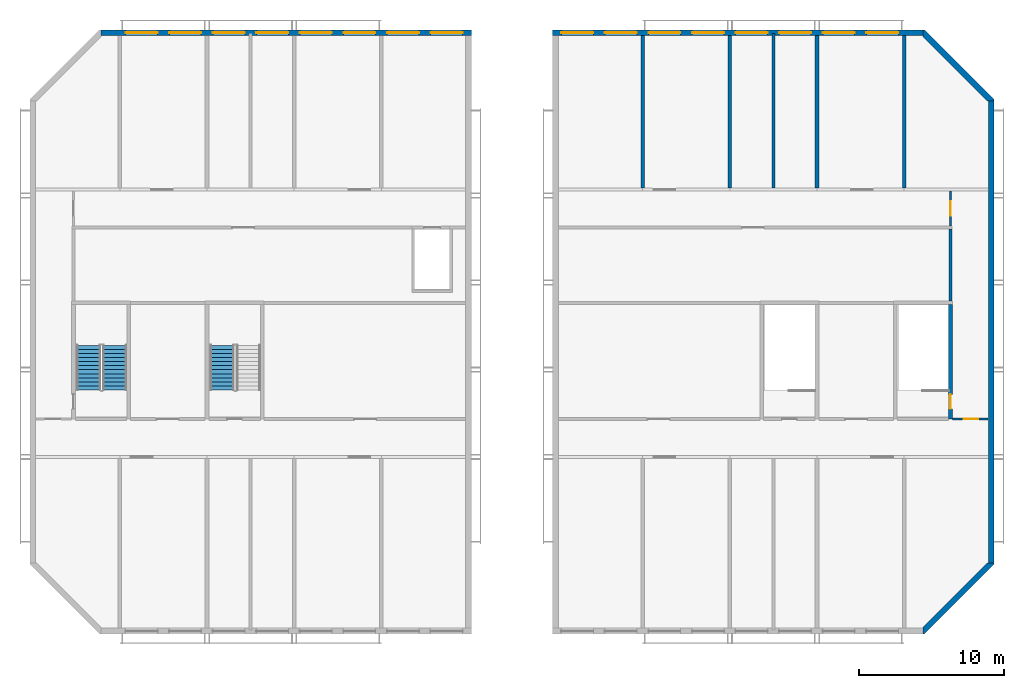
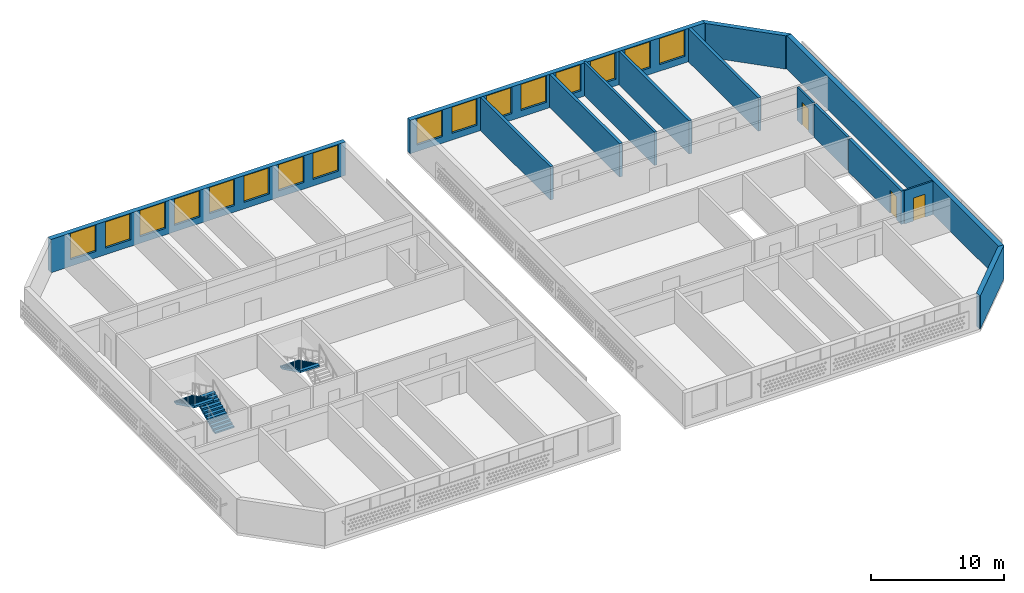
# One storey, part 4 of 16: 16 windows, 14 walls, 3 doors, 3 stair flights, 19 openings, 2 elements without a shape of their own.
"""IFC4 building model written with IfcOpenShell, lengths in metres."""

from ifc_helpers import new_model, si_unit, direction, frame, frame_2d, origin, place, context, subcontext, project, spatial, polyline, rectangle, outline, extrude, material, layer, layer_set, type_object, element, fill, aggregate, save


model = new_model("IFC4")

# Units and contexts
model_context = context("Model", 3, precision=1e-05, world=origin(), true_north=direction((0.0, 1.0)))
body_context = subcontext(model_context, "Body", "Model", "MODEL_VIEW")
ifc_project = project(units=[si_unit("LENGTHUNIT", "METRE"), si_unit("AREAUNIT", "SQUARE_METRE"), si_unit("VOLUMEUNIT", "CUBIC_METRE"), si_unit("PLANEANGLEUNIT", "RADIAN"), si_unit("MASSUNIT", "GRAM", prefix="KILO")], contexts=[model_context])

# Site, building, storey
site_placement = place(None, origin())
site = spatial("IfcSite", under=ifc_project, at=site_placement, CompositionType="ELEMENT")
building_placement = place(site_placement, origin())
building = spatial("IfcBuilding", under=site, at=building_placement, Name="Poui Terraces", CompositionType="ELEMENT")
storey_placement = place(building_placement, frame((0.0, 0.0, 282.300048828125)))
storey = spatial("IfcBuildingStorey", under=building, at=storey_placement, Name="L78 CROWN", CompositionType="ELEMENT", Elevation=282.300048828125)

# Wall, opening, door
ifc_material_1 = material(Name="Fire-rated plasterboard wall")
ifc_layer_1 = layer(ifc_material_1, 0.14990234375)
ifc_layer_set_1 = layer_set([ifc_layer_1], Name="Fire-rated plasterboard wall")
wall_type_1 = type_object("IfcWallType", Name="CORRIDOR WALL 150", PredefinedType="PARTITIONING", material=ifc_layer_set_1)
wall_1_placement = place(storey_placement, frame((81.3349609375, 14.60009765625, 0.0), z_axis=(0.0, 0.0, 1.0), x_axis=(1.0, 0.0, 0.0)))
wall_1 = element("IfcWall", 1, at=wall_1_placement, inside=storey, type_object=wall_type_1, Name="CORRIDOR WALL 150", PredefinedType="PARTITIONING", context=body_context, shape_type="SweptSolid", body=[
    extrude(rectangle(XDim=2.455078125, YDim=0.14990234375, at=frame_2d((1.2275390625, 0.0))), origin(), (0.0, 0.0, 1.0), 3.050048828125),
])
opening_1_placement = place(wall_1_placement, frame((0.764892578125, 0.0, 0.0)))
opening_1 = element("IfcOpeningElement", 2, at=opening_1_placement, cuts=wall_1, Name="Opening FDL", PredefinedType="OPENING", context=body_context, shape_type="SweptSolid", body=[
    extrude(rectangle(XDim=1.0, YDim=2.10009765625, at=frame_2d((0.5, 1.050048828125))), frame((0.0, 0.0849609375, 0.0), z_axis=(0.0, -1.0, 0.0), x_axis=(1.0, 0.0, 0.0)), (0.0, 0.0, 1.0), 0.169921875),
])
ifc_material_2 = material(Name="Steel fire door", Category="steel")
door_type_1 = type_object("IfcDoorType", Name="LOBBY FIRE DOOR 1000 X 2100", OperationType="NOTDEFINED", PredefinedType="DOOR", material=ifc_material_2)
door_1_placement = place(opening_1_placement, origin())
door_1 = element("IfcDoor", 3, at=door_1_placement, inside=storey, type_object=door_type_1, Name="LOBBY FIRE DOOR 010", OperationType="SINGLE_SWING_LEFT", OverallHeight=2.10009765625, OverallWidth=1.0, PredefinedType="DOOR", context=body_context, shape_type="SweptSolid", body=[
    extrude(rectangle(XDim=1.0, YDim=2.10009765625, at=frame_2d((0.5, 1.050048828125))), frame((0.0, 0.02490234375, 0.0), z_axis=(0.0, -1.0, 0.0), x_axis=(1.0, 0.0, 0.0)), (0.0, 0.0, 1.0), 0.050048828125),
])
fill(opening_1, door_1)

wall_2_placement = place(storey_placement, frame((81.199951171875, 27.89990234375, 0.0), z_axis=(0.0, 0.0, 1.0), x_axis=(0.0, 1.0, 0.0)))
wall_2 = element("IfcWall", 4, at=wall_2_placement, inside=storey, type_object=wall_type_1, Name="CORRIDOR WALL 150", PredefinedType="PARTITIONING", context=body_context, shape_type="SweptSolid", body=[
    extrude(rectangle(XDim=2.39013671875, YDim=0.14990234375, at=frame_2d((1.195068359375, 0.0))), origin(), (0.0, 0.0, 1.0), 3.050048828125),
])
opening_2_placement = place(wall_2_placement, frame((0.699951171875, 0.0, 0.0)))
opening_2 = element("IfcOpeningElement", 5, at=opening_2_placement, cuts=wall_2, Name="Opening FDL", PredefinedType="OPENING", context=body_context, shape_type="SweptSolid", body=[
    extrude(rectangle(XDim=1.0, YDim=2.10009765625, at=frame_2d((0.5, 1.050048828125))), frame((0.0, 0.0849609375, 0.0), z_axis=(0.0, -1.0, 0.0), x_axis=(1.0, 0.0, 0.0)), (0.0, 0.0, 1.0), 0.169921875),
])
door_2_placement = place(opening_2_placement, frame((1.0, 0.0, 0.0), z_axis=(0.0, 0.0, 1.0), x_axis=(-1.0, 0.0, 0.0)))
door_2 = element("IfcDoor", 6, at=door_2_placement, inside=storey, type_object=door_type_1, Name="LOBBY FIRE DOOR 009", OperationType="SINGLE_SWING_RIGHT", OverallHeight=2.10009765625, OverallWidth=1.0, PredefinedType="DOOR", context=body_context, shape_type="SweptSolid", body=[
    extrude(rectangle(XDim=1.0, YDim=2.10009765625, at=frame_2d((0.5, 1.050048828125))), frame((0.0, 0.02490234375, 0.0), z_axis=(0.0, -1.0, 0.0), x_axis=(1.0, 0.0, 0.0)), (0.0, 0.0, 1.0), 0.050048828125),
])
fill(opening_2, door_2)

# Walls
ifc_material_3 = material(Name="Concrete 50 MPa", Category="concrete")
ifc_layer_2 = layer(ifc_material_3, 0.25)
ifc_layer_set_2 = layer_set([ifc_layer_2], Name="Concrete 50 MPa")
wall_type_2 = type_object("IfcWallType", Name="CROSS WALL 250 50MPa", PredefinedType="SHEAR", material=ifc_layer_set_2)
for number, where, z_axis, x_axis, name in (
    (7, (60.0, 30.5, 0.0), (0.0, 0.0, 1.0), (0.0, 1.0, 0.0), "CROSS WALL LINE 11 NORTH"),
    (8, (66.0, 30.5, 0.0), (0.0, 0.0, 1.0), (0.0, 1.0, 0.0), "CROSS WALL LINE 12 NORTH"),
    (9, (72.0, 30.5, 0.0), (0.0, 0.0, 1.0), (0.0, 1.0, 0.0), "CROSS WALL LINE 13 NORTH"),
    (10, (78.0, 30.5, 0.0), (0.0, 0.0, 1.0), (0.0, 1.0, 0.0), "CROSS WALL LINE 14 NORTH"),
):
    element("IfcWall", number, at=place(storey_placement, frame(where, z_axis=z_axis, x_axis=x_axis)), inside=storey, type_object=wall_type_2, Name=name, PredefinedType="SHEAR", context=body_context, shape_type="SweptSolid", body=[
        extrude(rectangle(XDim=10.5, YDim=0.25, at=frame_2d((5.25, 0.0))), origin(), (0.0, 0.0, 1.0), 3.050048828125),
    ])
ifc_layer_3 = layer(ifc_material_3, 0.39990234375)
ifc_layer_set_3 = layer_set([ifc_layer_3], Name="Concrete 50 MPa")
wall_type_3 = type_object("IfcWallType", Name="END WALL 400 50MPa", PredefinedType="SHEAR", material=ifc_layer_set_3)
wall_3_placement = place(storey_placement, frame((84.0, 4.682861328125, 0.0), z_axis=(0.0, 0.0, 1.0), x_axis=(0.0, 1.0, 0.0)))
element("IfcWall", 11, at=wall_3_placement, inside=storey, type_object=wall_type_3, Name="END WALL LINE 15", PredefinedType="SHEAR", context=body_context, shape_type="SweptSolid", body=[
    extrude(rectangle(XDim=31.834228515625, YDim=0.39990234375, at=frame_2d((15.9169921875, 0.0))), origin(), (0.0, 0.0, 1.0), 3.050048828125),
])

# Wall, openings, windows
ifc_material_4 = material(Name="Precast concrete 40 MPa", Category="concrete")
ifc_layer_4 = layer(ifc_material_4, 0.39990234375)
ifc_layer_set_4 = layer_set([ifc_layer_4], Name="Precast concrete 40 MPa")
wall_type_4 = type_object("IfcWallType", Name="EXTERNAL WALL 400", PredefinedType="STANDARD", material=ifc_layer_set_4)
wall_4_placement = place(storey_placement, frame((48.199951171875, 41.199951171875, 0.0), z_axis=(0.0, 0.0, 1.0), x_axis=(-1.0, 0.0, 0.0)))
wall_4 = element("IfcWall", 12, at=wall_4_placement, inside=storey, type_object=wall_type_4, Name="EXTERNAL WALL N", PredefinedType="STANDARD", context=body_context, shape_type="SweptSolid", body=[
    extrude(rectangle(XDim=25.51708984375, YDim=0.39990234375, at=frame_2d((12.758544921875, 0.0))), origin(), (0.0, 0.0, 1.0), 3.050048828125),
])
opening_3_placement = place(wall_4_placement, frame((21.60009765625, 0.0, 0.60009765625)))
opening_3 = element("IfcOpeningElement", 13, at=opening_3_placement, cuts=wall_4, Name="Opening W5", PredefinedType="OPENING", context=body_context, shape_type="SweptSolid", body=[
    extrude(rectangle(XDim=2.199951171875, YDim=2.39990234375, at=frame_2d((1.10009765625, 1.199951171875))), frame((0.0, 0.2099609375, 0.0), z_axis=(0.0, -1.0, 0.0), x_axis=(1.0, 0.0, 0.0)), (0.0, 0.0, 1.0), 0.419921875),
])
opening_4_placement = place(wall_4_placement, frame((18.60009765625, 0.0, 0.60009765625)))
opening_4 = element("IfcOpeningElement", 14, at=opening_4_placement, cuts=wall_4, Name="Opening W5", PredefinedType="OPENING", context=body_context, shape_type="SweptSolid", body=[
    extrude(rectangle(XDim=2.199951171875, YDim=2.39990234375, at=frame_2d((1.10009765625, 1.199951171875))), frame((0.0, 0.2099609375, 0.0), z_axis=(0.0, -1.0, 0.0), x_axis=(1.0, 0.0, 0.0)), (0.0, 0.0, 1.0), 0.419921875),
])
opening_5_placement = place(wall_4_placement, frame((15.60009765625, 0.0, 0.60009765625)))
opening_5 = element("IfcOpeningElement", 15, at=opening_5_placement, cuts=wall_4, Name="Opening W5", PredefinedType="OPENING", context=body_context, shape_type="SweptSolid", body=[
    extrude(rectangle(XDim=2.199951171875, YDim=2.39990234375, at=frame_2d((1.10009765625, 1.199951171875))), frame((0.0, 0.2099609375, 0.0), z_axis=(0.0, -1.0, 0.0), x_axis=(1.0, 0.0, 0.0)), (0.0, 0.0, 1.0), 0.419921875),
])
opening_6_placement = place(wall_4_placement, frame((12.60009765625, 0.0, 0.60009765625)))
opening_6 = element("IfcOpeningElement", 16, at=opening_6_placement, cuts=wall_4, Name="Opening W5", PredefinedType="OPENING", context=body_context, shape_type="SweptSolid", body=[
    extrude(rectangle(XDim=2.199951171875, YDim=2.39990234375, at=frame_2d((1.10009765625, 1.199951171875))), frame((0.0, 0.2099609375, 0.0), z_axis=(0.0, -1.0, 0.0), x_axis=(1.0, 0.0, 0.0)), (0.0, 0.0, 1.0), 0.419921875),
])
opening_7_placement = place(wall_4_placement, frame((9.60009765625, 0.0, 0.60009765625)))
opening_7 = element("IfcOpeningElement", 17, at=opening_7_placement, cuts=wall_4, Name="Opening W5", PredefinedType="OPENING", context=body_context, shape_type="SweptSolid", body=[
    extrude(rectangle(XDim=2.199951171875, YDim=2.39990234375, at=frame_2d((1.10009765625, 1.199951171875))), frame((0.0, 0.2099609375, 0.0), z_axis=(0.0, -1.0, 0.0), x_axis=(1.0, 0.0, 0.0)), (0.0, 0.0, 1.0), 0.419921875),
])
opening_8_placement = place(wall_4_placement, frame((6.60009765625, 0.0, 0.60009765625)))
opening_8 = element("IfcOpeningElement", 18, at=opening_8_placement, cuts=wall_4, Name="Opening W5", PredefinedType="OPENING", context=body_context, shape_type="SweptSolid", body=[
    extrude(rectangle(XDim=2.199951171875, YDim=2.39990234375, at=frame_2d((1.10009765625, 1.199951171875))), frame((0.0, 0.2099609375, 0.0), z_axis=(0.0, -1.0, 0.0), x_axis=(1.0, 0.0, 0.0)), (0.0, 0.0, 1.0), 0.419921875),
])
opening_9_placement = place(wall_4_placement, frame((3.60009765625, 0.0, 0.60009765625)))
opening_9 = element("IfcOpeningElement", 19, at=opening_9_placement, cuts=wall_4, Name="Opening W5", PredefinedType="OPENING", context=body_context, shape_type="SweptSolid", body=[
    extrude(rectangle(XDim=2.199951171875, YDim=2.39990234375, at=frame_2d((1.10009765625, 1.199951171875))), frame((0.0, 0.2099609375, 0.0), z_axis=(0.0, -1.0, 0.0), x_axis=(1.0, 0.0, 0.0)), (0.0, 0.0, 1.0), 0.419921875),
])
opening_10_placement = place(wall_4_placement, frame((0.60009765625, 0.0, 0.60009765625)))
opening_10 = element("IfcOpeningElement", 20, at=opening_10_placement, cuts=wall_4, Name="Opening W5", PredefinedType="OPENING", context=body_context, shape_type="SweptSolid", body=[
    extrude(rectangle(XDim=2.199951171875, YDim=2.39990234375, at=frame_2d((1.10009765625, 1.199951171875))), frame((0.0, 0.2099609375, 0.0), z_axis=(0.0, -1.0, 0.0), x_axis=(1.0, 0.0, 0.0)), (0.0, 0.0, 1.0), 0.419921875),
])
ifc_material_5 = material(Name="Clear glass in aluminium frame", Category="aluminium")
window_type = type_object("IfcWindowType", Name="WINDOW 2200X2400", PartitioningType="TRIPLE_PANEL_HORIZONTAL", PredefinedType="WINDOW", material=ifc_material_5)
window_1_placement = place(opening_3_placement, origin())
window_1 = element("IfcWindow", 21, at=window_1_placement, inside=storey, type_object=window_type, Name="W5 WINDOW", OverallHeight=2.39990234375, OverallWidth=2.199951171875, PartitioningType="TRIPLE_PANEL_HORIZONTAL", PredefinedType="WINDOW", context=body_context, shape_type="SweptSolid", body=[
    extrude(rectangle(XDim=2.199951171875, YDim=2.39990234375, at=frame_2d((1.10009765625, 1.199951171875))), frame((0.0, 0.030029296875, 0.0), z_axis=(0.0, -1.0, 0.0), x_axis=(1.0, 0.0, 0.0)), (0.0, 0.0, 1.0), 0.06005859375),
])
fill(opening_3, window_1)
window_2_placement = place(opening_4_placement, origin())
window_2 = element("IfcWindow", 22, at=window_2_placement, inside=storey, type_object=window_type, Name="W5 WINDOW", OverallHeight=2.39990234375, OverallWidth=2.199951171875, PartitioningType="TRIPLE_PANEL_HORIZONTAL", PredefinedType="WINDOW", context=body_context, shape_type="SweptSolid", body=[
    extrude(rectangle(XDim=2.199951171875, YDim=2.39990234375, at=frame_2d((1.10009765625, 1.199951171875))), frame((0.0, 0.030029296875, 0.0), z_axis=(0.0, -1.0, 0.0), x_axis=(1.0, 0.0, 0.0)), (0.0, 0.0, 1.0), 0.06005859375),
])
fill(opening_4, window_2)
window_3_placement = place(opening_5_placement, origin())
window_3 = element("IfcWindow", 23, at=window_3_placement, inside=storey, type_object=window_type, Name="W5 WINDOW", OverallHeight=2.39990234375, OverallWidth=2.199951171875, PartitioningType="TRIPLE_PANEL_HORIZONTAL", PredefinedType="WINDOW", context=body_context, shape_type="SweptSolid", body=[
    extrude(rectangle(XDim=2.199951171875, YDim=2.39990234375, at=frame_2d((1.10009765625, 1.199951171875))), frame((0.0, 0.030029296875, 0.0), z_axis=(0.0, -1.0, 0.0), x_axis=(1.0, 0.0, 0.0)), (0.0, 0.0, 1.0), 0.06005859375),
])
fill(opening_5, window_3)
window_4_placement = place(opening_6_placement, origin())
window_4 = element("IfcWindow", 24, at=window_4_placement, inside=storey, type_object=window_type, Name="W5 WINDOW", OverallHeight=2.39990234375, OverallWidth=2.199951171875, PartitioningType="TRIPLE_PANEL_HORIZONTAL", PredefinedType="WINDOW", context=body_context, shape_type="SweptSolid", body=[
    extrude(rectangle(XDim=2.199951171875, YDim=2.39990234375, at=frame_2d((1.10009765625, 1.199951171875))), frame((0.0, 0.030029296875, 0.0), z_axis=(0.0, -1.0, 0.0), x_axis=(1.0, 0.0, 0.0)), (0.0, 0.0, 1.0), 0.06005859375),
])
fill(opening_6, window_4)
window_5_placement = place(opening_7_placement, origin())
window_5 = element("IfcWindow", 25, at=window_5_placement, inside=storey, type_object=window_type, Name="W5 WINDOW", OverallHeight=2.39990234375, OverallWidth=2.199951171875, PartitioningType="TRIPLE_PANEL_HORIZONTAL", PredefinedType="WINDOW", context=body_context, shape_type="SweptSolid", body=[
    extrude(rectangle(XDim=2.199951171875, YDim=2.39990234375, at=frame_2d((1.10009765625, 1.199951171875))), frame((0.0, 0.030029296875, 0.0), z_axis=(0.0, -1.0, 0.0), x_axis=(1.0, 0.0, 0.0)), (0.0, 0.0, 1.0), 0.06005859375),
])
fill(opening_7, window_5)
window_6_placement = place(opening_8_placement, origin())
window_6 = element("IfcWindow", 26, at=window_6_placement, inside=storey, type_object=window_type, Name="W5 WINDOW", OverallHeight=2.39990234375, OverallWidth=2.199951171875, PartitioningType="TRIPLE_PANEL_HORIZONTAL", PredefinedType="WINDOW", context=body_context, shape_type="SweptSolid", body=[
    extrude(rectangle(XDim=2.199951171875, YDim=2.39990234375, at=frame_2d((1.10009765625, 1.199951171875))), frame((0.0, 0.030029296875, 0.0), z_axis=(0.0, -1.0, 0.0), x_axis=(1.0, 0.0, 0.0)), (0.0, 0.0, 1.0), 0.06005859375),
])
fill(opening_8, window_6)
window_7_placement = place(opening_9_placement, origin())
window_7 = element("IfcWindow", 27, at=window_7_placement, inside=storey, type_object=window_type, Name="W5 WINDOW", OverallHeight=2.39990234375, OverallWidth=2.199951171875, PartitioningType="TRIPLE_PANEL_HORIZONTAL", PredefinedType="WINDOW", context=body_context, shape_type="SweptSolid", body=[
    extrude(rectangle(XDim=2.199951171875, YDim=2.39990234375, at=frame_2d((1.10009765625, 1.199951171875))), frame((0.0, 0.030029296875, 0.0), z_axis=(0.0, -1.0, 0.0), x_axis=(1.0, 0.0, 0.0)), (0.0, 0.0, 1.0), 0.06005859375),
])
fill(opening_9, window_7)
window_8_placement = place(opening_10_placement, origin())
window_8 = element("IfcWindow", 28, at=window_8_placement, inside=storey, type_object=window_type, Name="W5 WINDOW", OverallHeight=2.39990234375, OverallWidth=2.199951171875, PartitioningType="TRIPLE_PANEL_HORIZONTAL", PredefinedType="WINDOW", context=body_context, shape_type="SweptSolid", body=[
    extrude(rectangle(XDim=2.199951171875, YDim=2.39990234375, at=frame_2d((1.10009765625, 1.199951171875))), frame((0.0, 0.030029296875, 0.0), z_axis=(0.0, -1.0, 0.0), x_axis=(1.0, 0.0, 0.0)), (0.0, 0.0, 1.0), 0.06005859375),
])
fill(opening_10, window_8)

wall_5_placement = place(storey_placement, frame((79.317138671875, 41.199951171875, 0.0), z_axis=(0.0, 0.0, 1.0), x_axis=(-1.0, 0.0, 0.0)))
wall_5 = element("IfcWall", 29, at=wall_5_placement, inside=storey, type_object=wall_type_4, Name="EXTERNAL WALL N", PredefinedType="STANDARD", context=body_context, shape_type="SweptSolid", body=[
    extrude(rectangle(XDim=25.51708984375, YDim=0.39990234375, at=frame_2d((12.758544921875, 0.0))), origin(), (0.0, 0.0, 1.0), 3.050048828125),
])
opening_11_placement = place(wall_5_placement, frame((22.71728515625, 0.0, 0.60009765625)))
opening_11 = element("IfcOpeningElement", 30, at=opening_11_placement, cuts=wall_5, Name="Opening W5", PredefinedType="OPENING", context=body_context, shape_type="SweptSolid", body=[
    extrude(rectangle(XDim=2.199951171875, YDim=2.39990234375, at=frame_2d((1.10009765625, 1.199951171875))), frame((0.0, 0.2099609375, 0.0), z_axis=(0.0, -1.0, 0.0), x_axis=(1.0, 0.0, 0.0)), (0.0, 0.0, 1.0), 0.419921875),
])
opening_12_placement = place(wall_5_placement, frame((19.71728515625, 0.0, 0.60009765625)))
opening_12 = element("IfcOpeningElement", 31, at=opening_12_placement, cuts=wall_5, Name="Opening W5", PredefinedType="OPENING", context=body_context, shape_type="SweptSolid", body=[
    extrude(rectangle(XDim=2.199951171875, YDim=2.39990234375, at=frame_2d((1.10009765625, 1.199951171875))), frame((0.0, 0.2099609375, 0.0), z_axis=(0.0, -1.0, 0.0), x_axis=(1.0, 0.0, 0.0)), (0.0, 0.0, 1.0), 0.419921875),
])
opening_13_placement = place(wall_5_placement, frame((16.71728515625, 0.0, 0.60009765625)))
opening_13 = element("IfcOpeningElement", 32, at=opening_13_placement, cuts=wall_5, Name="Opening W5", PredefinedType="OPENING", context=body_context, shape_type="SweptSolid", body=[
    extrude(rectangle(XDim=2.199951171875, YDim=2.39990234375, at=frame_2d((1.10009765625, 1.199951171875))), frame((0.0, 0.2099609375, 0.0), z_axis=(0.0, -1.0, 0.0), x_axis=(1.0, 0.0, 0.0)), (0.0, 0.0, 1.0), 0.419921875),
])
opening_14_placement = place(wall_5_placement, frame((13.71728515625, 0.0, 0.60009765625)))
opening_14 = element("IfcOpeningElement", 33, at=opening_14_placement, cuts=wall_5, Name="Opening W5", PredefinedType="OPENING", context=body_context, shape_type="SweptSolid", body=[
    extrude(rectangle(XDim=2.199951171875, YDim=2.39990234375, at=frame_2d((1.10009765625, 1.199951171875))), frame((0.0, 0.2099609375, 0.0), z_axis=(0.0, -1.0, 0.0), x_axis=(1.0, 0.0, 0.0)), (0.0, 0.0, 1.0), 0.419921875),
])
opening_15_placement = place(wall_5_placement, frame((10.71728515625, 0.0, 0.60009765625)))
opening_15 = element("IfcOpeningElement", 34, at=opening_15_placement, cuts=wall_5, Name="Opening W5", PredefinedType="OPENING", context=body_context, shape_type="SweptSolid", body=[
    extrude(rectangle(XDim=2.199951171875, YDim=2.39990234375, at=frame_2d((1.10009765625, 1.199951171875))), frame((0.0, 0.2099609375, 0.0), z_axis=(0.0, -1.0, 0.0), x_axis=(1.0, 0.0, 0.0)), (0.0, 0.0, 1.0), 0.419921875),
])
opening_16_placement = place(wall_5_placement, frame((7.71728515625, 0.0, 0.60009765625)))
opening_16 = element("IfcOpeningElement", 35, at=opening_16_placement, cuts=wall_5, Name="Opening W5", PredefinedType="OPENING", context=body_context, shape_type="SweptSolid", body=[
    extrude(rectangle(XDim=2.199951171875, YDim=2.39990234375, at=frame_2d((1.10009765625, 1.199951171875))), frame((0.0, 0.2099609375, 0.0), z_axis=(0.0, -1.0, 0.0), x_axis=(1.0, 0.0, 0.0)), (0.0, 0.0, 1.0), 0.419921875),
])
opening_17_placement = place(wall_5_placement, frame((4.71728515625, 0.0, 0.60009765625)))
opening_17 = element("IfcOpeningElement", 36, at=opening_17_placement, cuts=wall_5, Name="Opening W5", PredefinedType="OPENING", context=body_context, shape_type="SweptSolid", body=[
    extrude(rectangle(XDim=2.199951171875, YDim=2.39990234375, at=frame_2d((1.10009765625, 1.199951171875))), frame((0.0, 0.2099609375, 0.0), z_axis=(0.0, -1.0, 0.0), x_axis=(1.0, 0.0, 0.0)), (0.0, 0.0, 1.0), 0.419921875),
])
opening_18_placement = place(wall_5_placement, frame((1.71728515625, 0.0, 0.60009765625)))
opening_18 = element("IfcOpeningElement", 37, at=opening_18_placement, cuts=wall_5, Name="Opening W5", PredefinedType="OPENING", context=body_context, shape_type="SweptSolid", body=[
    extrude(rectangle(XDim=2.199951171875, YDim=2.39990234375, at=frame_2d((1.10009765625, 1.199951171875))), frame((0.0, 0.2099609375, 0.0), z_axis=(0.0, -1.0, 0.0), x_axis=(1.0, 0.0, 0.0)), (0.0, 0.0, 1.0), 0.419921875),
])
window_9_placement = place(opening_11_placement, origin())
window_9 = element("IfcWindow", 38, at=window_9_placement, inside=storey, type_object=window_type, Name="W5 WINDOW", OverallHeight=2.39990234375, OverallWidth=2.199951171875, PartitioningType="TRIPLE_PANEL_HORIZONTAL", PredefinedType="WINDOW", context=body_context, shape_type="SweptSolid", body=[
    extrude(rectangle(XDim=2.199951171875, YDim=2.39990234375, at=frame_2d((1.10009765625, 1.199951171875))), frame((0.0, 0.030029296875, 0.0), z_axis=(0.0, -1.0, 0.0), x_axis=(1.0, 0.0, 0.0)), (0.0, 0.0, 1.0), 0.06005859375),
])
fill(opening_11, window_9)
window_10_placement = place(opening_12_placement, origin())
window_10 = element("IfcWindow", 39, at=window_10_placement, inside=storey, type_object=window_type, Name="W5 WINDOW", OverallHeight=2.39990234375, OverallWidth=2.199951171875, PartitioningType="TRIPLE_PANEL_HORIZONTAL", PredefinedType="WINDOW", context=body_context, shape_type="SweptSolid", body=[
    extrude(rectangle(XDim=2.199951171875, YDim=2.39990234375, at=frame_2d((1.10009765625, 1.199951171875))), frame((0.0, 0.030029296875, 0.0), z_axis=(0.0, -1.0, 0.0), x_axis=(1.0, 0.0, 0.0)), (0.0, 0.0, 1.0), 0.06005859375),
])
fill(opening_12, window_10)
window_11_placement = place(opening_13_placement, origin())
window_11 = element("IfcWindow", 40, at=window_11_placement, inside=storey, type_object=window_type, Name="W5 WINDOW", OverallHeight=2.39990234375, OverallWidth=2.199951171875, PartitioningType="TRIPLE_PANEL_HORIZONTAL", PredefinedType="WINDOW", context=body_context, shape_type="SweptSolid", body=[
    extrude(rectangle(XDim=2.199951171875, YDim=2.39990234375, at=frame_2d((1.10009765625, 1.199951171875))), frame((0.0, 0.030029296875, 0.0), z_axis=(0.0, -1.0, 0.0), x_axis=(1.0, 0.0, 0.0)), (0.0, 0.0, 1.0), 0.06005859375),
])
fill(opening_13, window_11)
window_12_placement = place(opening_14_placement, origin())
window_12 = element("IfcWindow", 41, at=window_12_placement, inside=storey, type_object=window_type, Name="W5 WINDOW", OverallHeight=2.39990234375, OverallWidth=2.199951171875, PartitioningType="TRIPLE_PANEL_HORIZONTAL", PredefinedType="WINDOW", context=body_context, shape_type="SweptSolid", body=[
    extrude(rectangle(XDim=2.199951171875, YDim=2.39990234375, at=frame_2d((1.10009765625, 1.199951171875))), frame((0.0, 0.030029296875, 0.0), z_axis=(0.0, -1.0, 0.0), x_axis=(1.0, 0.0, 0.0)), (0.0, 0.0, 1.0), 0.06005859375),
])
fill(opening_14, window_12)
window_13_placement = place(opening_15_placement, origin())
window_13 = element("IfcWindow", 42, at=window_13_placement, inside=storey, type_object=window_type, Name="W5 WINDOW", OverallHeight=2.39990234375, OverallWidth=2.199951171875, PartitioningType="TRIPLE_PANEL_HORIZONTAL", PredefinedType="WINDOW", context=body_context, shape_type="SweptSolid", body=[
    extrude(rectangle(XDim=2.199951171875, YDim=2.39990234375, at=frame_2d((1.10009765625, 1.199951171875))), frame((0.0, 0.030029296875, 0.0), z_axis=(0.0, -1.0, 0.0), x_axis=(1.0, 0.0, 0.0)), (0.0, 0.0, 1.0), 0.06005859375),
])
fill(opening_15, window_13)
window_14_placement = place(opening_16_placement, origin())
window_14 = element("IfcWindow", 43, at=window_14_placement, inside=storey, type_object=window_type, Name="W5 WINDOW", OverallHeight=2.39990234375, OverallWidth=2.199951171875, PartitioningType="TRIPLE_PANEL_HORIZONTAL", PredefinedType="WINDOW", context=body_context, shape_type="SweptSolid", body=[
    extrude(rectangle(XDim=2.199951171875, YDim=2.39990234375, at=frame_2d((1.10009765625, 1.199951171875))), frame((0.0, 0.030029296875, 0.0), z_axis=(0.0, -1.0, 0.0), x_axis=(1.0, 0.0, 0.0)), (0.0, 0.0, 1.0), 0.06005859375),
])
fill(opening_16, window_14)
window_15_placement = place(opening_17_placement, origin())
window_15 = element("IfcWindow", 44, at=window_15_placement, inside=storey, type_object=window_type, Name="W5 WINDOW", OverallHeight=2.39990234375, OverallWidth=2.199951171875, PartitioningType="TRIPLE_PANEL_HORIZONTAL", PredefinedType="WINDOW", context=body_context, shape_type="SweptSolid", body=[
    extrude(rectangle(XDim=2.199951171875, YDim=2.39990234375, at=frame_2d((1.10009765625, 1.199951171875))), frame((0.0, 0.030029296875, 0.0), z_axis=(0.0, -1.0, 0.0), x_axis=(1.0, 0.0, 0.0)), (0.0, 0.0, 1.0), 0.06005859375),
])
fill(opening_17, window_15)
window_16_placement = place(opening_18_placement, origin())
window_16 = element("IfcWindow", 45, at=window_16_placement, inside=storey, type_object=window_type, Name="W5 WINDOW", OverallHeight=2.39990234375, OverallWidth=2.199951171875, PartitioningType="TRIPLE_PANEL_HORIZONTAL", PredefinedType="WINDOW", context=body_context, shape_type="SweptSolid", body=[
    extrude(rectangle(XDim=2.199951171875, YDim=2.39990234375, at=frame_2d((1.10009765625, 1.199951171875))), frame((0.0, 0.030029296875, 0.0), z_axis=(0.0, -1.0, 0.0), x_axis=(1.0, 0.0, 0.0)), (0.0, 0.0, 1.0), 0.06005859375),
])
fill(opening_18, window_16)

# Walls
ifc_material_6 = material(Name="Fire-rated masonry wall", Category="masonry")
ifc_layer_5 = layer(ifc_material_6, 0.199951171875)
ifc_layer_set_5 = layer_set([ifc_layer_5], Name="Fire-rated masonry wall")
wall_type_5 = type_object("IfcWallType", Name="PLANT ROOM WALL 200", PredefinedType="PARTITIONING", material=ifc_layer_set_5)
wall_6_placement = place(storey_placement, frame((69.0, 30.510009765625, 0.0), z_axis=(0.0, 0.0, 1.0), x_axis=(0.0, 1.0, 0.0)))
element("IfcWall", 46, at=wall_6_placement, inside=storey, type_object=wall_type_5, Name="PLANT ROOM WALL 200", PredefinedType="PARTITIONING", context=body_context, shape_type="SweptSolid", body=[
    extrude(rectangle(XDim=10.6298828125, YDim=0.199951171875, at=frame_2d((5.31494140625, 0.0))), origin(), (0.0, 0.0, 1.0), 3.050048828125),
])
wall_7_placement = place(storey_placement, frame((81.199951171875, 22.735107421875, 0.0), z_axis=(0.0, 0.0, 1.0), x_axis=(0.0, 1.0, 0.0)))
element("IfcWall", 47, at=wall_7_placement, inside=storey, type_object=wall_type_5, Name="PLANT ROOM WALL 200", PredefinedType="PARTITIONING", context=body_context, shape_type="SweptSolid", body=[
    extrude(rectangle(XDim=4.96484375, YDim=0.199951171875, at=frame_2d((2.482421875, 0.0))), origin(), (0.0, 0.0, 1.0), 3.050048828125),
])

# Wall, opening, door
ifc_layer_6 = layer(ifc_material_3, 0.25)
ifc_layer_set_6 = layer_set([ifc_layer_6], Name="Concrete 50 MPa")
wall_type_6 = type_object("IfcWallType", Name="STAIR CORE WALL 250 50 MPA", PredefinedType="SOLIDWALL", material=ifc_layer_set_6)
wall_8_placement = place(storey_placement, frame((81.199951171875, 14.60009765625, 0.0), z_axis=(0.0, 0.0, 1.0), x_axis=(0.0, 1.0, 0.0)))
wall_8 = element("IfcWall", 48, at=wall_8_placement, inside=storey, type_object=wall_type_6, Name="STAIR CORE WALL", PredefinedType="SOLIDWALL", context=body_context, shape_type="SweptSolid", body=[
    extrude(rectangle(XDim=7.875, YDim=0.25, at=frame_2d((3.9375, 0.0))), origin(), (0.0, 0.0, 1.0), 3.050048828125),
])
opening_19_placement = place(wall_8_placement, frame((0.699951171875, 0.0, 0.0)))
opening_19 = element("IfcOpeningElement", 49, at=opening_19_placement, cuts=wall_8, Name="Opening FD60S", PredefinedType="OPENING", context=body_context, shape_type="SweptSolid", body=[
    extrude(rectangle(XDim=1.0, YDim=2.10009765625, at=frame_2d((0.5, 1.050048828125))), frame((0.0, 0.135009765625, 0.0), z_axis=(0.0, -1.0, 0.0), x_axis=(1.0, 0.0, 0.0)), (0.0, 0.0, 1.0), 0.27001953125),
])
door_type_2 = type_object("IfcDoorType", Name="STAIR DOOR 1000 X 2100", OperationType="NOTDEFINED", PredefinedType="DOOR", material=ifc_material_2)
door_3_placement = place(opening_19_placement, origin())
door_3 = element("IfcDoor", 50, at=door_3_placement, inside=storey, type_object=door_type_2, Name="STAIR DOOR 008", OperationType="SINGLE_SWING_LEFT", OverallHeight=2.10009765625, OverallWidth=1.0, PredefinedType="DOOR", context=body_context, shape_type="SweptSolid", body=[
    extrude(rectangle(XDim=1.0, YDim=2.10009765625, at=frame_2d((0.5, 1.050048828125))), frame((0.0, 0.02490234375, 0.0), z_axis=(0.0, -1.0, 0.0), x_axis=(1.0, 0.0, 0.0)), (0.0, 0.0, 1.0), 0.050048828125),
])
fill(opening_19, door_3)

# Walls
ifc_layer_7 = layer(ifc_material_4, 0.39990234375)
ifc_layer_set_7 = layer_set([ifc_layer_7], Name="Precast concrete 40 MPa")
wall_type_7 = type_object("IfcWallType", Name="TERRACOTTA CLAD CHAMFER WALL 400", PredefinedType="STANDARD", material=ifc_layer_set_7)
wall_9_placement = place(storey_placement, origin())
element("IfcWall", 51, at=wall_9_placement, inside=storey, type_object=wall_type_7, Name="CHAMFER WALL CH11", PredefinedType="STANDARD", context=body_context, shape_type="SweptSolid", body=[
    extrude(outline(polyline([(79.317138671875, -0.199951171875), (79.39990234375, -0.199951171875), (84.199951171875, 4.60009765625), (84.199951171875, 4.682861328125), (83.71728515625, 4.682861328125), (79.317138671875, 0.28271484375), (79.317138671875, -0.199951171875)])), origin(), (0.0, 0.0, 1.0), 3.050048828125),
])
wall_10_placement = place(storey_placement, origin())
element("IfcWall", 52, at=wall_10_placement, inside=storey, type_object=wall_type_7, Name="CHAMFER WALL CH13", PredefinedType="STANDARD", context=body_context, shape_type="SweptSolid", body=[
    extrude(outline(polyline([(84.199951171875, 36.51708984375), (84.199951171875, 36.60009765625), (79.39990234375, 41.39990234375), (79.317138671875, 41.39990234375), (79.317138671875, 40.917236328125), (83.71728515625, 36.51708984375), (84.199951171875, 36.51708984375)])), origin(), (0.0, 0.0, 1.0), 3.050048828125),
])

# Stair, stair flight
stair_type = type_object("IfcStairType", Name="EXIT STAIR 1650 50 MPA", PredefinedType="HALF_TURN_STAIR", material=ifc_material_3)
stair_1_placement = place(storey_placement, origin())
stair_1 = element("IfcStair", 53, at=stair_1_placement, inside=storey, type_object=stair_type, Name="L78 CROWN CORE STAIR WEST", PredefinedType="HALF_TURN_STAIR")
ifc_layer_8 = layer(ifc_material_3, 0.14990234375)
ifc_layer_set_8 = layer_set([ifc_layer_8], Name="Concrete 50 MPa")
stair_flight_type = type_object("IfcStairFlightType", Name="STAIR FLIGHT 12 RISERS 138 RISE 50 MPA", PredefinedType="STRAIGHT", material=ifc_layer_set_8)
stair_flight_1_placement = place(storey_placement, frame((31.050048828125, 19.679931640625, 1.64990234375), z_axis=(0.0, 0.0, 1.0), x_axis=(0.0, -1.0, 0.0)))
stair_flight_1 = element("IfcStairFlight", 54, at=stair_flight_1_placement, type_object=stair_flight_type, Name="ST-CW flight 2", NumberOfRisers=12, NumberOfTreads=11, PredefinedType="STRAIGHT", RiserHeight=0.1375, TreadLength=0.28, context=body_context, shape_type="SweptSolid", body=[
    extrude(outline(polyline([(0.0, 0.0), (0.0, 0.137451171875), (0.280029296875, 0.137451171875), (0.280029296875, 0.27490234375), (0.56005859375, 0.27490234375), (0.56005859375, 0.41259765625), (0.840087890625, 0.41259765625), (0.840087890625, 0.550048828125), (1.1201171875, 0.550048828125), (1.1201171875, 0.6875), (1.39990234375, 0.6875), (1.39990234375, 0.824951171875), (1.679931640625, 0.824951171875), (1.679931640625, 0.96240234375), (1.9599609375, 0.96240234375), (1.9599609375, 1.10009765625), (2.239990234375, 1.10009765625), (2.239990234375, 1.237548828125), (2.52001953125, 1.237548828125), (2.52001953125, 1.375), (2.800048828125, 1.375), (2.800048828125, 1.512451171875), (3.080078125, 1.512451171875), (3.080078125, 1.64990234375), (3.080078125, 1.345458984375), (0.340087890625, 0.0), (0.0, 0.0)])), frame((0.0, 0.824951171875, 0.0), z_axis=(0.0, -1.0, 0.0), x_axis=(1.0, 0.0, 0.0)), (0.0, 0.0, 1.0), 1.64990234375),
])
aggregate(stair_1, [stair_flight_1])

# Stair, stair flights
stair_2_placement = place(storey_placement, origin())
stair_2 = element("IfcStair", 55, at=stair_2_placement, inside=storey, type_object=stair_type, Name="L78 CROWN TIP STAIR WEST", PredefinedType="HALF_TURN_STAIR")
stair_flight_2_placement = place(storey_placement, frame((23.64990234375, 16.60009765625, 0.0), z_axis=(0.0, 0.0, 1.0), x_axis=(0.0, 1.0, 0.0)))
stair_flight_2 = element("IfcStairFlight", 56, at=stair_flight_2_placement, type_object=stair_flight_type, Name="ST-W flight 1", NumberOfRisers=12, NumberOfTreads=11, PredefinedType="STRAIGHT", RiserHeight=0.1375, TreadLength=0.28, context=body_context, shape_type="SweptSolid", body=[
    extrude(outline(polyline([(0.0, 0.0), (0.0, 0.137451171875), (0.280029296875, 0.137451171875), (0.280029296875, 0.27490234375), (0.56005859375, 0.27490234375), (0.56005859375, 0.41259765625), (0.840087890625, 0.41259765625), (0.840087890625, 0.550048828125), (1.1201171875, 0.550048828125), (1.1201171875, 0.6875), (1.39990234375, 0.6875), (1.39990234375, 0.824951171875), (1.679931640625, 0.824951171875), (1.679931640625, 0.96240234375), (1.9599609375, 0.96240234375), (1.9599609375, 1.10009765625), (2.239990234375, 1.10009765625), (2.239990234375, 1.237548828125), (2.52001953125, 1.237548828125), (2.52001953125, 1.375), (2.800048828125, 1.375), (2.800048828125, 1.512451171875), (3.080078125, 1.512451171875), (3.080078125, 1.64990234375), (3.080078125, 1.345458984375), (0.340087890625, 0.0), (0.0, 0.0)])), frame((0.0, 0.824951171875, 0.0), z_axis=(0.0, -1.0, 0.0), x_axis=(1.0, 0.0, 0.0)), (0.0, 0.0, 1.0), 1.64990234375),
])
stair_flight_3_placement = place(storey_placement, frame((21.85009765625, 19.679931640625, 1.64990234375), z_axis=(0.0, 0.0, 1.0), x_axis=(0.0, -1.0, 0.0)))
stair_flight_3 = element("IfcStairFlight", 57, at=stair_flight_3_placement, type_object=stair_flight_type, Name="ST-W flight 2", NumberOfRisers=12, NumberOfTreads=11, PredefinedType="STRAIGHT", RiserHeight=0.1375, TreadLength=0.28, context=body_context, shape_type="SweptSolid", body=[
    extrude(outline(polyline([(0.0, 0.0), (0.0, 0.137451171875), (0.280029296875, 0.137451171875), (0.280029296875, 0.27490234375), (0.56005859375, 0.27490234375), (0.56005859375, 0.41259765625), (0.840087890625, 0.41259765625), (0.840087890625, 0.550048828125), (1.1201171875, 0.550048828125), (1.1201171875, 0.6875), (1.39990234375, 0.6875), (1.39990234375, 0.824951171875), (1.679931640625, 0.824951171875), (1.679931640625, 0.96240234375), (1.9599609375, 0.96240234375), (1.9599609375, 1.10009765625), (2.239990234375, 1.10009765625), (2.239990234375, 1.237548828125), (2.52001953125, 1.237548828125), (2.52001953125, 1.375), (2.800048828125, 1.375), (2.800048828125, 1.512451171875), (3.080078125, 1.512451171875), (3.080078125, 1.64990234375), (3.080078125, 1.345458984375), (0.340087890625, 0.0), (0.0, 0.0)])), frame((0.0, 0.824951171875, 0.0), z_axis=(0.0, -1.0, 0.0), x_axis=(1.0, 0.0, 0.0)), (0.0, 0.0, 1.0), 1.64990234375),
])
aggregate(stair_2, [stair_flight_2, stair_flight_3])

save(model, "model.ifc")
